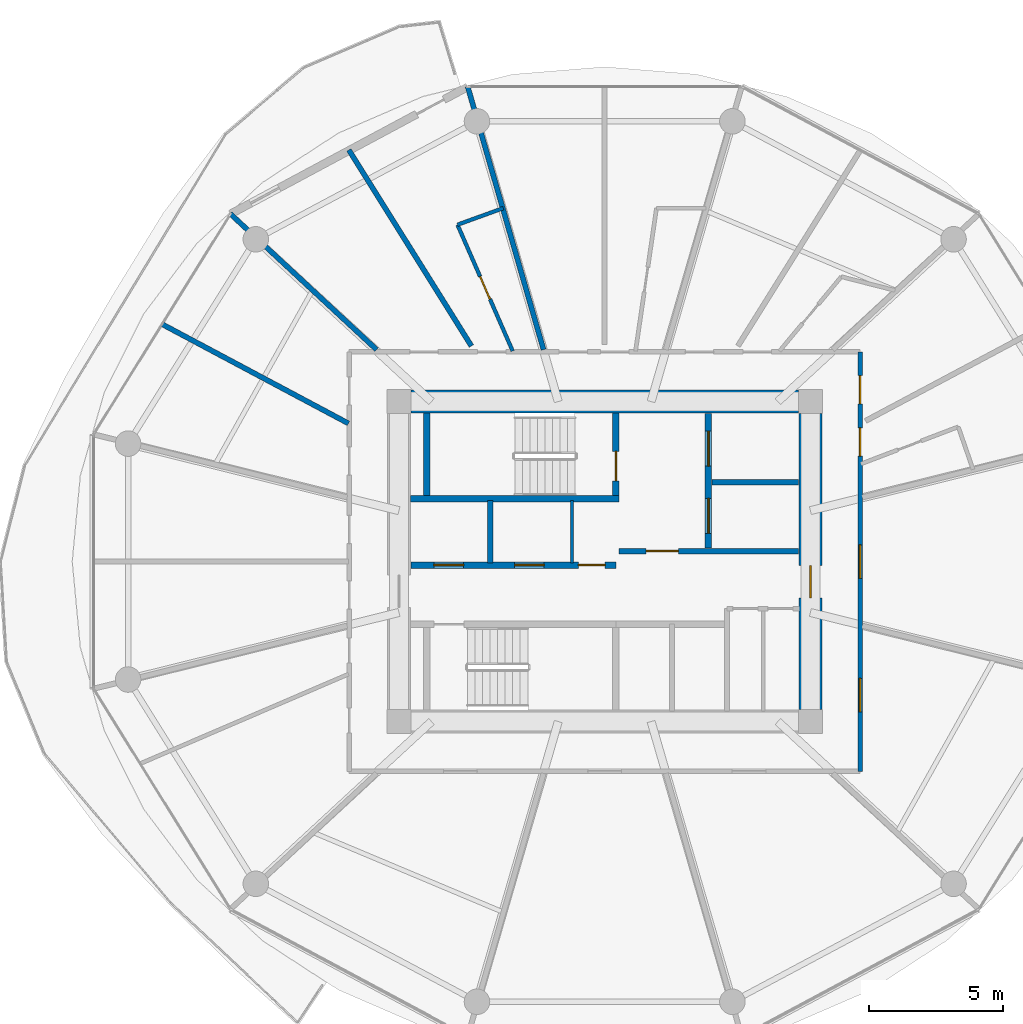
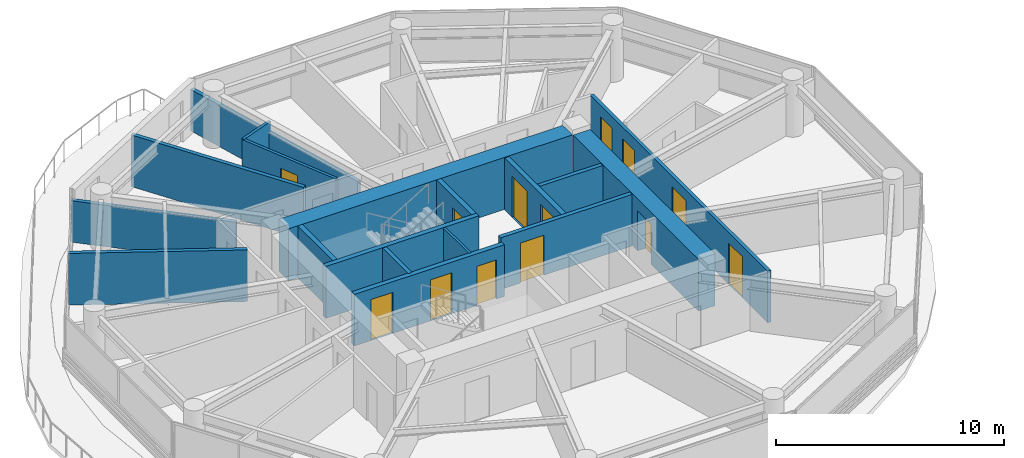
# One storey, part 16 of 27: 18 walls, 13 doors, 13 openings.
"""IFC4 building model written with IfcOpenShell, lengths in metres."""

from ifc_helpers import new_model, si_unit, direction, frame, frame_2d, origin, place, context, subcontext, project, spatial, rectangle, extrude, source, transform, mapped, material, layer, layer_set, type_object, type_shapes, element, fill, save


model = new_model("IFC4")

# Units and contexts
model_context = context("Model", 3, precision=1e-05, world=origin(), true_north=direction((0.0, 1.0)))
body_context = subcontext(model_context, "Body", "Model", "MODEL_VIEW")
ifc_project = project(units=[si_unit("LENGTHUNIT", "METRE"), si_unit("AREAUNIT", "SQUARE_METRE"), si_unit("VOLUMEUNIT", "CUBIC_METRE"), si_unit("PLANEANGLEUNIT", "RADIAN"), si_unit("MASSUNIT", "GRAM", prefix="KILO")], contexts=[model_context])

# Site, building, storey
site_placement = place(None, origin())
site = spatial("IfcSite", under=ifc_project, at=site_placement, CompositionType="ELEMENT")
building_placement = place(site_placement, origin())
building = spatial("IfcBuilding", under=site, at=building_placement, Name="Norrkilde Senior Care Towers", CompositionType="ELEMENT")
storey_placement = place(building_placement, frame((0.0, 0.0, 33.800048828125)))
storey = spatial("IfcBuildingStorey", under=building, at=storey_placement, Name="L09", CompositionType="ELEMENT", Elevation=33.800048828125)

# Wall
ifc_material_1 = material(Name="Concrete C60/75", Category="concrete")
ifc_layer_1 = layer(ifc_material_1, 0.85009765625)
ifc_layer_set_1 = layer_set([ifc_layer_1], Name="Concrete C60/75")
wall_type_1 = type_object("IfcWallType", Name="Core Shear Wall Z1 850", PredefinedType="SHEAR", material=ifc_layer_set_1)
shared_shape_1 = source(origin(), body_context, "Body", "SweptSolid", [
    extrude(rectangle(XDim=14.39990234375, YDim=0.85009765625, at=frame_2d((7.199951171875, 0.0))), origin(), (0.0, 0.0, 1.0), 2.7900390625),
])
wall_1_placement = place(storey_placement, frame((-35.199951171875, 5.949951171875, 0.0), z_axis=(0.0, 0.0, 1.0), x_axis=(1.0, 0.0, 0.0)))
element("IfcWall", 1, at=wall_1_placement, inside=storey, type_object=wall_type_1, Name="L09 Core W North Shear Wall", PredefinedType="SHEAR", context=body_context, shape_type="MappedRepresentation", body=[
    mapped(shared_shape_1, transform((0.0, 0.0, 0.0), x_axis=(1.0, 0.0, 0.0), y_axis=(0.0, 1.0, 0.0), z_axis=(0.0, 0.0, 1.0), scale=1.0)),
])

# Wall, opening, door
shared_shape_2 = source(origin(), body_context, "Body", "SweptSolid", [
    extrude(rectangle(XDim=11.0, YDim=0.85009765625, at=frame_2d((5.5, 0.0))), origin(), (0.0, 0.0, 1.0), 2.7900390625),
])
type_shapes(wall_type_1, [shared_shape_1, shared_shape_2])
wall_2_placement = place(storey_placement, frame((-20.35009765625, 5.5, 0.0), z_axis=(0.0, 0.0, 1.0), x_axis=(0.0, -1.0, 0.0)))
wall_2 = element("IfcWall", 2, at=wall_2_placement, inside=storey, type_object=wall_type_1, Name="L09 Core W East Shear Wall", PredefinedType="SHEAR", context=body_context, shape_type="MappedRepresentation", body=[
    mapped(shared_shape_2, transform((0.0, 0.0, 0.0), x_axis=(1.0, 0.0, 0.0), y_axis=(0.0, 1.0, 0.0), z_axis=(0.0, 0.0, 1.0), scale=1.0)),
])
opening_1_placement = place(wall_2_placement, frame((5.64990234375, 0.0, 0.0)))
opening_1 = element("IfcOpeningElement", 3, at=opening_1_placement, cuts=wall_2, Name="Opening D-04", PredefinedType="OPENING", context=body_context, shape_type="SweptSolid", body=[
    extrude(rectangle(XDim=1.199951171875, YDim=2.14990234375, at=frame_2d((0.60009765625, 1.074951171875))), frame((0.0, 0.43505859375, 0.0), z_axis=(0.0, -1.0, 0.0), x_axis=(1.0, 0.0, 0.0)), (0.0, 0.0, 1.0), 0.8701171875),
])
ifc_material_2 = material(Name="Galvanised Painted Steel", Category="steel")
door_type_1 = type_object("IfcDoorType", Name="Firefighting Lobby Fire Door 1200x2150", OperationType="NOTDEFINED", PredefinedType="DOOR", material=ifc_material_2)
shared_shape_3 = source(origin(), body_context, "Body", "SweptSolid", [
    extrude(rectangle(XDim=1.199951171875, YDim=2.14990234375, at=frame_2d((0.60009765625, 1.074951171875))), frame((0.0, 0.02490234375, 0.0), z_axis=(0.0, -1.0, 0.0), x_axis=(1.0, 0.0, 0.0)), (0.0, 0.0, 1.0), 0.050048828125),
])
type_shapes(door_type_1, [shared_shape_3])
door_1_placement = place(opening_1_placement, frame((1.199951171875, 0.0, 0.0), z_axis=(0.0, 0.0, 1.0), x_axis=(-1.0, 0.0, 0.0)))
door_1 = element("IfcDoor", 4, at=door_1_placement, inside=storey, type_object=door_type_1, Name="L09 Core W East Portal Door", OperationType="SINGLE_SWING_RIGHT", OverallHeight=2.14990234375, OverallWidth=1.199951171875, PredefinedType="DOOR", context=body_context, shape_type="MappedRepresentation", body=[
    mapped(shared_shape_3, transform((0.0, 0.0, 0.0), x_axis=(1.0, 0.0, 0.0), y_axis=(0.0, 1.0, 0.0), z_axis=(0.0, 0.0, 1.0), scale=1.0)),
])
fill(opening_1, door_1)

# Wall, openings, doors
ifc_material_3 = material(Name="Concrete C45/55", Category="concrete")
ifc_layer_2 = layer(ifc_material_3, 0.239990234375)
ifc_layer_set_2 = layer_set([ifc_layer_2], Name="Concrete C45/55")
wall_type_2 = type_object("IfcWallType", Name="Lift and Plant Rated Enclosure Partition 240", PredefinedType="PARTITIONING", material=ifc_layer_set_2)
shared_shape_4 = source(origin(), body_context, "Body", "SweptSolid", [
    extrude(rectangle(XDim=5.0, YDim=0.239990234375, at=frame_2d((2.5, 0.0))), origin(), (0.0, 0.0, 1.0), 2.77490234375),
])
wall_3_placement = place(storey_placement, frame((-24.139892578125, 0.5, 0.0), z_axis=(0.0, 0.0, 1.0), x_axis=(0.0, 1.0, 0.0)))
wall_3 = element("IfcWall", 5, at=wall_3_placement, inside=storey, type_object=wall_type_2, Name="WL-INT-L09-W-FFLE", PredefinedType="PARTITIONING", context=body_context, shape_type="MappedRepresentation", body=[
    mapped(shared_shape_4, transform((0.0, 0.0, 0.0), x_axis=(1.0, 0.0, 0.0), y_axis=(0.0, 1.0, 0.0), z_axis=(0.0, 0.0, 1.0), scale=1.0)),
])
opening_2_placement = place(wall_3_placement, frame((3.050048828125, 0.0, 0.0)))
opening_2 = element("IfcOpeningElement", 6, at=opening_2_placement, cuts=wall_3, Name="Opening LD-02", PredefinedType="OPENING", context=body_context, shape_type="SweptSolid", body=[
    extrude(rectangle(XDim=1.300048828125, YDim=2.199951171875, at=frame_2d((0.64990234375, 1.10009765625))), frame((0.0, 0.1298828125, 0.0), z_axis=(0.0, -1.0, 0.0), x_axis=(1.0, 0.0, 0.0)), (0.0, 0.0, 1.0), 0.260009765625),
])
opening_3_placement = place(wall_3_placement, frame((0.550048828125, 0.0, 0.0)))
opening_3 = element("IfcOpeningElement", 7, at=opening_3_placement, cuts=wall_3, Name="Opening LD-02", PredefinedType="OPENING", context=body_context, shape_type="SweptSolid", body=[
    extrude(rectangle(XDim=1.300048828125, YDim=2.199951171875, at=frame_2d((0.64990234375, 1.10009765625))), frame((0.0, 0.1298828125, 0.0), z_axis=(0.0, -1.0, 0.0), x_axis=(1.0, 0.0, 0.0)), (0.0, 0.0, 1.0), 0.260009765625),
])
ifc_material_4 = material(Name="Stainless Steel", Category="steel")
door_type_2 = type_object("IfcDoorType", Name="Stretcher and FFL Landing Sliding Door 1300x2200", OperationType="NOTDEFINED", PredefinedType="DOOR", material=ifc_material_4)
shared_shape_5 = source(origin(), body_context, "Body", "SweptSolid", [
    extrude(rectangle(XDim=1.300048828125, YDim=2.199951171875, at=frame_2d((0.64990234375, 1.10009765625))), frame((0.0, 0.02490234375, 0.0), z_axis=(0.0, -1.0, 0.0), x_axis=(1.0, 0.0, 0.0)), (0.0, 0.0, 1.0), 0.050048828125),
])
type_shapes(door_type_2, [shared_shape_5])
door_2_placement = place(opening_2_placement, origin())
door_2 = element("IfcDoor", 8, at=door_2_placement, inside=storey, type_object=door_type_2, Name="L09 Firefighting Lift W1 Landing Door", OperationType="SLIDING_TO_LEFT", OverallHeight=2.199951171875, OverallWidth=1.300048828125, PredefinedType="DOOR", context=body_context, shape_type="MappedRepresentation", body=[
    mapped(shared_shape_5, transform((0.0, 0.0, 0.0), x_axis=(1.0, 0.0, 0.0), y_axis=(0.0, 1.0, 0.0), z_axis=(0.0, 0.0, 1.0), scale=1.0)),
])
fill(opening_2, door_2)
door_3_placement = place(opening_3_placement, origin())
door_3 = element("IfcDoor", 9, at=door_3_placement, inside=storey, type_object=door_type_2, Name="L09 Stretcher Lift W1 Landing Door", OperationType="SLIDING_TO_RIGHT", OverallHeight=2.199951171875, OverallWidth=1.300048828125, PredefinedType="DOOR", context=body_context, shape_type="MappedRepresentation", body=[
    mapped(shared_shape_5, transform((0.0, 0.0, 0.0), x_axis=(1.0, 0.0, 0.0), y_axis=(0.0, 1.0, 0.0), z_axis=(0.0, 0.0, 1.0), scale=1.0)),
])
fill(opening_3, door_3)

# Wall
ifc_layer_3 = layer(ifc_material_3, 0.199951171875)
ifc_layer_set_3 = layer_set([ifc_layer_3], Name="Concrete C45/55")
wall_type_3 = type_object("IfcWallType", Name="Shaft Division and Plant Partition 200", PredefinedType="PARTITIONING", material=ifc_layer_set_3)
shared_shape_6 = source(origin(), body_context, "Body", "SweptSolid", [
    extrude(rectangle(XDim=3.199951171875, YDim=0.199951171875, at=frame_2d((1.60009765625, 0.0))), origin(), (0.0, 0.0, 1.0), 2.77490234375),
])
wall_4_placement = place(storey_placement, frame((-24.0, 2.949951171875, 0.0), z_axis=(0.0, 0.0, 1.0), x_axis=(1.0, 0.0, 0.0)))
element("IfcWall", 10, at=wall_4_placement, inside=storey, type_object=wall_type_3, Name="WL-INT-L09-W-FFLDIV", PredefinedType="PARTITIONING", context=body_context, shape_type="MappedRepresentation", body=[
    mapped(shared_shape_6, transform((0.0, 0.0, 0.0), x_axis=(1.0, 0.0, 0.0), y_axis=(0.0, 1.0, 0.0), z_axis=(0.0, 0.0, 1.0), scale=1.0)),
])

# Wall, opening, door
ifc_layer_4 = layer(ifc_material_3, 0.2099609375)
ifc_layer_set_4 = layer_set([ifc_layer_4], Name="Concrete C45/55")
wall_type_4 = type_object("IfcWallType", Name="Firefighting Lobby Wall 210", PredefinedType="PARTITIONING", material=ifc_layer_set_4)
shared_shape_7 = source(origin(), body_context, "Body", "SweptSolid", [
    extrude(rectangle(XDim=6.659912109375, YDim=0.2099609375, at=frame_2d((3.330078125, 0.0))), origin(), (0.0, 0.0, 1.0), 2.77490234375),
])
type_shapes(wall_type_4, [shared_shape_7])
wall_5_placement = place(storey_placement, frame((-27.4599609375, 0.389892578125, 0.0), z_axis=(0.0, 0.0, 1.0), x_axis=(1.0, 0.0, 0.0)))
wall_5 = element("IfcWall", 11, at=wall_5_placement, inside=storey, type_object=wall_type_4, Name="WL-INT-L09-W-FFLS", PredefinedType="PARTITIONING", context=body_context, shape_type="MappedRepresentation", body=[
    mapped(shared_shape_7, transform((0.0, 0.0, 0.0), x_axis=(1.0, 0.0, 0.0), y_axis=(0.0, 1.0, 0.0), z_axis=(0.0, 0.0, 1.0), scale=1.0)),
])
opening_4_placement = place(wall_5_placement, frame((1.0, 0.0, 0.0)))
opening_4 = element("IfcOpeningElement", 12, at=opening_4_placement, cuts=wall_5, Name="Opening D-04", PredefinedType="OPENING", context=body_context, shape_type="SweptSolid", body=[
    extrude(rectangle(XDim=1.199951171875, YDim=2.14990234375, at=frame_2d((0.60009765625, 1.074951171875))), frame((0.0, 0.114990234375, 0.0), z_axis=(0.0, -1.0, 0.0), x_axis=(1.0, 0.0, 0.0)), (0.0, 0.0, 1.0), 0.22998046875),
])
door_4_placement = place(opening_4_placement, frame((1.199951171875, 0.0, 0.0), z_axis=(0.0, 0.0, 1.0), x_axis=(-1.0, 0.0, 0.0)))
door_4 = element("IfcDoor", 13, at=door_4_placement, inside=storey, type_object=door_type_1, Name="L09 Firefighting Lobby W Door", OperationType="SINGLE_SWING_LEFT", OverallHeight=2.14990234375, OverallWidth=1.199951171875, PredefinedType="DOOR", context=body_context, shape_type="MappedRepresentation", body=[
    mapped(shared_shape_3, transform((0.0, 0.0, 0.0), x_axis=(1.0, 0.0, 0.0), y_axis=(0.0, 1.0, 0.0), z_axis=(0.0, 0.0, 1.0), scale=1.0)),
])
fill(opening_4, door_4)

# Wall, openings, doors
shared_shape_8 = source(origin(), body_context, "Body", "SweptSolid", [
    extrude(rectangle(XDim=7.619873046875, YDim=0.239990234375, at=frame_2d((3.81005859375, 0.0))), origin(), (0.0, 0.0, 1.0), 2.77490234375),
])
type_shapes(wall_type_2, [shared_shape_4, shared_shape_8])
wall_6_placement = place(storey_placement, frame((-35.199951171875, -0.1298828125, 0.0), z_axis=(0.0, 0.0, 1.0), x_axis=(1.0, 0.0, 0.0)))
wall_6 = element("IfcWall", 14, at=wall_6_placement, inside=storey, type_object=wall_type_2, Name="WL-INT-L09-W-PKAS", PredefinedType="PARTITIONING", context=body_context, shape_type="MappedRepresentation", body=[
    mapped(shared_shape_8, transform((0.0, 0.0, 0.0), x_axis=(1.0, 0.0, 0.0), y_axis=(0.0, 1.0, 0.0), z_axis=(0.0, 0.0, 1.0), scale=1.0)),
])
opening_5_placement = place(wall_6_placement, frame((6.219970703125, 0.0, 0.0)))
opening_5 = element("IfcOpeningElement", 15, at=opening_5_placement, cuts=wall_6, Name="Opening D-10", PredefinedType="OPENING", context=body_context, shape_type="SweptSolid", body=[
    extrude(rectangle(XDim=1.0, YDim=2.10009765625, at=frame_2d((0.5, 1.050048828125))), frame((0.0, 0.1298828125, 0.0), z_axis=(0.0, -1.0, 0.0), x_axis=(1.0, 0.0, 0.0)), (0.0, 0.0, 1.0), 0.260009765625),
])
opening_6_placement = place(wall_6_placement, frame((0.85009765625, 0.0, 0.0)))
opening_6 = element("IfcOpeningElement", 16, at=opening_6_placement, cuts=wall_6, Name="Opening LD-01", PredefinedType="OPENING", context=body_context, shape_type="SweptSolid", body=[
    extrude(rectangle(XDim=1.10009765625, YDim=2.199951171875, at=frame_2d((0.550048828125, 1.10009765625))), frame((0.0, 0.1298828125, 0.0), z_axis=(0.0, -1.0, 0.0), x_axis=(1.0, 0.0, 0.0)), (0.0, 0.0, 1.0), 0.260009765625),
])
opening_7_placement = place(wall_6_placement, frame((3.85009765625, 0.0, 0.0)))
opening_7 = element("IfcOpeningElement", 17, at=opening_7_placement, cuts=wall_6, Name="Opening LD-01", PredefinedType="OPENING", context=body_context, shape_type="SweptSolid", body=[
    extrude(rectangle(XDim=1.10009765625, YDim=2.199951171875, at=frame_2d((0.550048828125, 1.10009765625))), frame((0.0, 0.1298828125, 0.0), z_axis=(0.0, -1.0, 0.0), x_axis=(1.0, 0.0, 0.0)), (0.0, 0.0, 1.0), 0.260009765625),
])
door_type_3 = type_object("IfcDoorType", Name="Plant and Riser Rated Door 1000x2100", OperationType="NOTDEFINED", PredefinedType="DOOR", material=ifc_material_2)
shared_shape_9 = source(origin(), body_context, "Body", "SweptSolid", [
    extrude(rectangle(XDim=1.0, YDim=2.10009765625, at=frame_2d((0.5, 1.050048828125))), frame((0.0, 0.02490234375, 0.0), z_axis=(0.0, -1.0, 0.0), x_axis=(1.0, 0.0, 0.0)), (0.0, 0.0, 1.0), 0.050048828125),
])
type_shapes(door_type_3, [shared_shape_9])
door_5_placement = place(opening_5_placement, frame((1.0, 0.0, 0.0), z_axis=(0.0, 0.0, 1.0), x_axis=(-1.0, 0.0, 0.0)))
door_5 = element("IfcDoor", 18, at=door_5_placement, inside=storey, type_object=door_type_3, Name="L09 Electrical Riser W Door", OperationType="SINGLE_SWING_LEFT", OverallHeight=2.10009765625, OverallWidth=1.0, PredefinedType="DOOR", context=body_context, shape_type="MappedRepresentation", body=[
    mapped(shared_shape_9, transform((0.0, 0.0, 0.0), x_axis=(1.0, 0.0, 0.0), y_axis=(0.0, 1.0, 0.0), z_axis=(0.0, 0.0, 1.0), scale=1.0)),
])
fill(opening_5, door_5)
door_type_4 = type_object("IfcDoorType", Name="Lift Landing Sliding Door 1100x2200", OperationType="NOTDEFINED", PredefinedType="DOOR", material=ifc_material_4)
shared_shape_10 = source(origin(), body_context, "Body", "SweptSolid", [
    extrude(rectangle(XDim=1.10009765625, YDim=2.199951171875, at=frame_2d((0.550048828125, 1.10009765625))), frame((0.0, 0.02490234375, 0.0), z_axis=(0.0, -1.0, 0.0), x_axis=(1.0, 0.0, 0.0)), (0.0, 0.0, 1.0), 0.050048828125),
])
type_shapes(door_type_4, [shared_shape_10])
door_6_placement = place(opening_6_placement, origin())
door_6 = element("IfcDoor", 19, at=door_6_placement, inside=storey, type_object=door_type_4, Name="L09 Passenger Lift W1 Landing Door", OperationType="SLIDING_TO_LEFT", OverallHeight=2.199951171875, OverallWidth=1.10009765625, PredefinedType="DOOR", context=body_context, shape_type="MappedRepresentation", body=[
    mapped(shared_shape_10, transform((0.0, 0.0, 0.0), x_axis=(1.0, 0.0, 0.0), y_axis=(0.0, 1.0, 0.0), z_axis=(0.0, 0.0, 1.0), scale=1.0)),
])
fill(opening_6, door_6)
door_7_placement = place(opening_7_placement, origin())
door_7 = element("IfcDoor", 20, at=door_7_placement, inside=storey, type_object=door_type_4, Name="L09 Passenger Lift W2 Landing Door", OperationType="SLIDING_TO_RIGHT", OverallHeight=2.199951171875, OverallWidth=1.10009765625, PredefinedType="DOOR", context=body_context, shape_type="MappedRepresentation", body=[
    mapped(shared_shape_10, transform((0.0, 0.0, 0.0), x_axis=(1.0, 0.0, 0.0), y_axis=(0.0, 1.0, 0.0), z_axis=(0.0, 0.0, 1.0), scale=1.0)),
])
fill(opening_7, door_7)

# Walls
ifc_material_5 = material(Name="Gypsum Acoustic Board")
ifc_layer_5 = layer(ifc_material_5, 0.114990234375)
ifc_layer_set_5 = layer_set([ifc_layer_5], Name="Gypsum Acoustic Board")
wall_type_5 = type_object("IfcWallType", Name="Internal Room Partition 115", PredefinedType="PARTITIONING", material=ifc_layer_set_5)
shared_shape_11 = source(origin(), body_context, "Body", "SweptSolid", [
    extrude(rectangle(XDim=2.330078125, YDim=0.114990234375, at=frame_2d((1.1650390625, 0.0))), origin(), (0.0, 0.0, 1.0), 2.77490234375),
])
type_shapes(wall_type_5, [shared_shape_11])
wall_7_placement = place(storey_placement, frame((-29.2099609375, -0.050048828125, 0.0), z_axis=(0.0, 0.0, 1.0), x_axis=(0.0, 1.0, 0.0)))
element("IfcWall", 21, at=wall_7_placement, inside=storey, type_object=wall_type_5, Name="WL-INT-L09-W-RISW", PredefinedType="PARTITIONING", context=body_context, shape_type="MappedRepresentation", body=[
    mapped(shared_shape_11, transform((0.0, 0.0, 0.0), x_axis=(1.0, 0.0, 0.0), y_axis=(0.0, 1.0, 0.0), z_axis=(0.0, 0.0, 1.0), scale=1.0)),
])
shared_shape_12 = source(origin(), body_context, "Body", "SweptSolid", [
    extrude(rectangle(XDim=2.330078125, YDim=0.199951171875, at=frame_2d((1.1650390625, 0.0))), origin(), (0.0, 0.0, 1.0), 2.77490234375),
])
type_shapes(wall_type_3, [shared_shape_6, shared_shape_12])
wall_8_placement = place(storey_placement, frame((-32.25, -0.050048828125, 0.0), z_axis=(0.0, 0.0, 1.0), x_axis=(0.0, 1.0, 0.0)))
element("IfcWall", 22, at=wall_8_placement, inside=storey, type_object=wall_type_3, Name="WL-INT-L09-W-PL12", PredefinedType="PARTITIONING", context=body_context, shape_type="MappedRepresentation", body=[
    mapped(shared_shape_12, transform((0.0, 0.0, 0.0), x_axis=(1.0, 0.0, 0.0), y_axis=(0.0, 1.0, 0.0), z_axis=(0.0, 0.0, 1.0), scale=1.0)),
])

# Wall, openings, doors
ifc_layer_6 = layer(ifc_material_5, 0.1650390625)
ifc_layer_set_6 = layer_set([ifc_layer_6], Name="Gypsum Acoustic Board")
wall_type_6 = type_object("IfcWallType", Name="Corridor Rated Partition 165", PredefinedType="PARTITIONING", material=ifc_layer_set_6)
shared_shape_13 = source(origin(), body_context, "Body", "SweptSolid", [
    extrude(rectangle(XDim=15.60009765625, YDim=0.1650390625, at=frame_2d((7.800048828125, 0.0))), origin(), (0.0, 0.0, 1.0), 2.77490234375),
])
type_shapes(wall_type_6, [shared_shape_13])
wall_9_placement = place(storey_placement, frame((-18.5, 7.800048828125, 0.0), z_axis=(0.0, 0.0, 1.0), x_axis=(0.0, -1.0, 0.0)))
wall_9 = element("IfcWall", 23, at=wall_9_placement, inside=storey, type_object=wall_type_6, Name="WL-INT-L09-W-CRW-E-0", PredefinedType="PARTITIONING", context=body_context, shape_type="MappedRepresentation", body=[
    mapped(shared_shape_13, transform((0.0, 0.0, 0.0), x_axis=(1.0, 0.0, 0.0), y_axis=(0.0, 1.0, 0.0), z_axis=(0.0, 0.0, 1.0), scale=1.0)),
])
opening_8_placement = place(wall_9_placement, frame((12.141357421875, 0.0, 0.0)))
opening_8 = element("IfcOpeningElement", 24, at=opening_8_placement, cuts=wall_9, Name="Opening D-05", PredefinedType="OPENING", context=body_context, shape_type="SweptSolid", body=[
    extrude(rectangle(XDim=1.25, YDim=2.199951171875, at=frame_2d((0.625, 1.10009765625))), frame((0.0, 0.092529296875, 0.0), z_axis=(0.0, -1.0, 0.0), x_axis=(1.0, 0.0, 0.0)), (0.0, 0.0, 1.0), 0.18505859375),
])
opening_9_placement = place(wall_9_placement, frame((7.175048828125, 0.0, 0.0)))
opening_9 = element("IfcOpeningElement", 25, at=opening_9_placement, cuts=wall_9, Name="Opening D-05", PredefinedType="OPENING", context=body_context, shape_type="SweptSolid", body=[
    extrude(rectangle(XDim=1.25, YDim=2.199951171875, at=frame_2d((0.625, 1.10009765625))), frame((0.0, 0.092529296875, 0.0), z_axis=(0.0, -1.0, 0.0), x_axis=(1.0, 0.0, 0.0)), (0.0, 0.0, 1.0), 0.18505859375),
])
opening_10_placement = place(wall_9_placement, frame((2.826416015625, 0.0, 0.0)))
opening_10 = element("IfcOpeningElement", 26, at=opening_10_placement, cuts=wall_9, Name="Opening D-06", PredefinedType="OPENING", context=body_context, shape_type="SweptSolid", body=[
    extrude(rectangle(XDim=1.050048828125, YDim=2.14990234375, at=frame_2d((0.52490234375, 1.074951171875))), frame((0.0, 0.092529296875, 0.0), z_axis=(0.0, -1.0, 0.0), x_axis=(1.0, 0.0, 0.0)), (0.0, 0.0, 1.0), 0.18505859375),
])
opening_11_placement = place(wall_9_placement, frame((0.88134765625, 0.0, 0.0)))
opening_11 = element("IfcOpeningElement", 27, at=opening_11_placement, cuts=wall_9, Name="Opening D-06", PredefinedType="OPENING", context=body_context, shape_type="SweptSolid", body=[
    extrude(rectangle(XDim=1.050048828125, YDim=2.14990234375, at=frame_2d((0.52490234375, 1.074951171875))), frame((0.0, 0.092529296875, 0.0), z_axis=(0.0, -1.0, 0.0), x_axis=(1.0, 0.0, 0.0)), (0.0, 0.0, 1.0), 0.18505859375),
])
ifc_material_6 = material(Name="Nordic Ash Timber", Category="wood")
door_type_5 = type_object("IfcDoorType", Name="Care Bedroom Bariatric Door 1250x2200", OperationType="NOTDEFINED", PredefinedType="DOOR", material=ifc_material_6)
shared_shape_14 = source(origin(), body_context, "Body", "SweptSolid", [
    extrude(rectangle(XDim=1.25, YDim=2.199951171875, at=frame_2d((0.625, 1.10009765625))), frame((0.0, 0.02490234375, 0.0), z_axis=(0.0, -1.0, 0.0), x_axis=(1.0, 0.0, 0.0)), (0.0, 0.0, 1.0), 0.050048828125),
])
type_shapes(door_type_5, [shared_shape_14])
door_8_placement = place(opening_8_placement, frame((1.25, 0.0, 0.0), z_axis=(0.0, 0.0, 1.0), x_axis=(-1.0, 0.0, 0.0)))
door_8 = element("IfcDoor", 28, at=door_8_placement, inside=storey, type_object=door_type_5, Name="L09 Care Coordination Charting Office Door", OperationType="SINGLE_SWING_LEFT", OverallHeight=2.199951171875, OverallWidth=1.25, PredefinedType="DOOR", context=body_context, shape_type="MappedRepresentation", body=[
    mapped(shared_shape_14, transform((0.0, 0.0, 0.0), x_axis=(1.0, 0.0, 0.0), y_axis=(0.0, 1.0, 0.0), z_axis=(0.0, 0.0, 1.0), scale=1.0)),
])
fill(opening_8, door_8)
door_9_placement = place(opening_9_placement, frame((1.25, 0.0, 0.0), z_axis=(0.0, 0.0, 1.0), x_axis=(-1.0, 0.0, 0.0)))
door_9 = element("IfcDoor", 29, at=door_9_placement, inside=storey, type_object=door_type_5, Name="L09 Geriatric Rehabilitation Clinic Door", OperationType="SINGLE_SWING_RIGHT", OverallHeight=2.199951171875, OverallWidth=1.25, PredefinedType="DOOR", context=body_context, shape_type="MappedRepresentation", body=[
    mapped(shared_shape_14, transform((0.0, 0.0, 0.0), x_axis=(1.0, 0.0, 0.0), y_axis=(0.0, 1.0, 0.0), z_axis=(0.0, 0.0, 1.0), scale=1.0)),
])
fill(opening_9, door_9)
door_type_6 = type_object("IfcDoorType", Name="Apartment Entrance Fire Door 1050x2150", OperationType="NOTDEFINED", PredefinedType="DOOR", material=ifc_material_6)
shared_shape_15 = source(origin(), body_context, "Body", "SweptSolid", [
    extrude(rectangle(XDim=1.050048828125, YDim=2.14990234375, at=frame_2d((0.52490234375, 1.074951171875))), frame((0.0, 0.02490234375, 0.0), z_axis=(0.0, -1.0, 0.0), x_axis=(1.0, 0.0, 0.0)), (0.0, 0.0, 1.0), 0.050048828125),
])
type_shapes(door_type_6, [shared_shape_15])
door_10_placement = place(opening_10_placement, frame((1.050048828125, 0.0, 0.0), z_axis=(0.0, 0.0, 1.0), x_axis=(-1.0, 0.0, 0.0)))
door_10 = element("IfcDoor", 30, at=door_10_placement, inside=storey, type_object=door_type_6, Name="L09 Care Suite 0900A Entrance Door", OperationType="SINGLE_SWING_LEFT", OverallHeight=2.14990234375, OverallWidth=1.050048828125, PredefinedType="DOOR", context=body_context, shape_type="MappedRepresentation", body=[
    mapped(shared_shape_15, transform((0.0, 0.0, 0.0), x_axis=(1.0, 0.0, 0.0), y_axis=(0.0, 1.0, 0.0), z_axis=(0.0, 0.0, 1.0), scale=1.0)),
])
fill(opening_10, door_10)
door_11_placement = place(opening_11_placement, frame((1.050048828125, 0.0, 0.0), z_axis=(0.0, 0.0, 1.0), x_axis=(-1.0, 0.0, 0.0)))
door_11 = element("IfcDoor", 31, at=door_11_placement, inside=storey, type_object=door_type_6, Name="L09 Therapy Day Lounge 00 Door", OperationType="SINGLE_SWING_RIGHT", OverallHeight=2.14990234375, OverallWidth=1.050048828125, PredefinedType="DOOR", context=body_context, shape_type="MappedRepresentation", body=[
    mapped(shared_shape_15, transform((0.0, 0.0, 0.0), x_axis=(1.0, 0.0, 0.0), y_axis=(0.0, 1.0, 0.0), z_axis=(0.0, 0.0, 1.0), scale=1.0)),
])
fill(opening_11, door_11)

# Walls
ifc_layer_7 = layer(ifc_material_5, 0.18994140625)
ifc_layer_set_7 = layer_set([ifc_layer_7], Name="Gypsum Acoustic Board")
wall_type_7 = type_object("IfcWallType", Name="Unit Demising Acoustic Wall 190", PredefinedType="PARTITIONING", material=ifc_layer_set_7)
shared_shape_16 = source(origin(), body_context, "Body", "SweptSolid", [
    extrude(rectangle(XDim=7.4345703125, YDim=0.18994140625, at=frame_2d((3.71728515625, 0.0))), origin(), (0.0, 0.0, 1.0), 2.224853515625),
])
wall_10_placement = place(storey_placement, frame((-36.48291015625, 7.8798828125, 0.0), z_axis=(0.0, 0.0, 1.0), x_axis=(-0.732651956848, 0.680603489652, 0.0)))
element("IfcWall", 32, at=wall_10_placement, inside=storey, type_object=wall_type_7, Name="WL-INT-L09-W-DEM-04-0", PredefinedType="PARTITIONING", context=body_context, shape_type="MappedRepresentation", body=[
    mapped(shared_shape_16, transform((0.0, 0.0, 0.0), x_axis=(1.0, 0.0, 0.0), y_axis=(0.0, 1.0, 0.0), z_axis=(0.0, 0.0, 1.0), scale=1.0)),
])
shared_shape_17 = source(origin(), body_context, "Body", "SweptSolid", [
    extrude(rectangle(XDim=10.196044921875, YDim=0.18994140625, at=frame_2d((5.09814453125, 0.0))), origin(), (0.0, 0.0, 1.0), 2.224853515625),
])
wall_11_placement = place(storey_placement, frame((-30.27294921875, 7.8798828125, 0.0), z_axis=(0.0, 0.0, 1.0), x_axis=(-0.277136420347, 0.960830580549, 0.0)))
element("IfcWall", 33, at=wall_11_placement, inside=storey, type_object=wall_type_7, Name="WL-INT-L09-W-DEM-03-0", PredefinedType="PARTITIONING", context=body_context, shape_type="MappedRepresentation", body=[
    mapped(shared_shape_17, transform((0.0, 0.0, 0.0), x_axis=(1.0, 0.0, 0.0), y_axis=(0.0, 1.0, 0.0), z_axis=(0.0, 0.0, 1.0), scale=1.0)),
])
shared_shape_18 = source(origin(), body_context, "Body", "SweptSolid", [
    extrude(rectangle(XDim=8.59814453125, YDim=0.18994140625, at=frame_2d((4.299072265625, 0.0))), origin(), (0.0, 0.0, 1.0), 2.77490234375),
])
wall_12_placement = place(storey_placement, frame((-32.95703125, 8.017333984375, 0.0), z_axis=(0.0, 0.0, 1.0), x_axis=(-0.530039776395, 0.847972779893, 0.0)))
element("IfcWall", 34, at=wall_12_placement, inside=storey, type_object=wall_type_7, Name="WL-INT-L09-W-CMID-03", PredefinedType="PARTITIONING", context=body_context, shape_type="MappedRepresentation", body=[
    mapped(shared_shape_18, transform((0.0, 0.0, 0.0), x_axis=(1.0, 0.0, 0.0), y_axis=(0.0, 1.0, 0.0), z_axis=(0.0, 0.0, 1.0), scale=1.0)),
])
ifc_layer_8 = layer(ifc_material_3, 0.239990234375)
ifc_layer_set_8 = layer_set([ifc_layer_8], Name="Concrete C45/55")
wall_type_8 = type_object("IfcWallType", Name="Shaft and Stair Enclosure Wall 240", PredefinedType="PARTITIONING", material=ifc_layer_set_8)
shared_shape_19 = source(origin(), body_context, "Body", "SweptSolid", [
    extrude(rectangle(XDim=7.76513671875, YDim=0.239990234375, at=frame_2d((3.882568359375, 0.0))), origin(), (0.0, 0.0, 1.0), 2.7900390625),
])
wall_13_placement = place(storey_placement, frame((-35.22509765625, 2.330078125, 0.0), z_axis=(0.0, 0.0, 1.0), x_axis=(1.0, 0.0, 0.0)))
element("IfcWall", 35, at=wall_13_placement, inside=storey, type_object=wall_type_8, Name="WL-INT-L09-W-ST1S", PredefinedType="PARTITIONING", context=body_context, shape_type="MappedRepresentation", body=[
    mapped(shared_shape_19, transform((0.0, 0.0, 0.0), x_axis=(1.0, 0.0, 0.0), y_axis=(0.0, 1.0, 0.0), z_axis=(0.0, 0.0, 1.0), scale=1.0)),
])
shared_shape_20 = source(origin(), body_context, "Body", "SweptSolid", [
    extrude(rectangle(XDim=3.074951171875, YDim=0.239990234375, at=frame_2d((1.53759765625, 0.0))), origin(), (0.0, 0.0, 1.0), 2.7900390625),
])
type_shapes(wall_type_8, [shared_shape_19, shared_shape_20])
wall_14_placement = place(storey_placement, frame((-34.6201171875, 2.449951171875, 0.0), z_axis=(0.0, 0.0, 1.0), x_axis=(0.0, 1.0, 0.0)))
element("IfcWall", 36, at=wall_14_placement, inside=storey, type_object=wall_type_8, Name="WL-INT-L09-W-ST1W", PredefinedType="PARTITIONING", context=body_context, shape_type="MappedRepresentation", body=[
    mapped(shared_shape_20, transform((0.0, 0.0, 0.0), x_axis=(1.0, 0.0, 0.0), y_axis=(0.0, 1.0, 0.0), z_axis=(0.0, 0.0, 1.0), scale=1.0)),
])

# Wall, opening, door
wall_15_placement = place(storey_placement, frame((-27.580078125, 2.449951171875, 0.0), z_axis=(0.0, 0.0, 1.0), x_axis=(0.0, 1.0, 0.0)))
wall_15 = element("IfcWall", 37, at=wall_15_placement, inside=storey, type_object=wall_type_8, Name="WL-INT-L09-W-ST1E", PredefinedType="PARTITIONING", context=body_context, shape_type="MappedRepresentation", body=[
    mapped(shared_shape_20, transform((0.0, 0.0, 0.0), x_axis=(1.0, 0.0, 0.0), y_axis=(0.0, 1.0, 0.0), z_axis=(0.0, 0.0, 1.0), scale=1.0)),
])
opening_12_placement = place(wall_15_placement, frame((0.550048828125, 0.0, 0.0)))
opening_12 = element("IfcOpeningElement", 38, at=opening_12_placement, cuts=wall_15, Name="Opening D-03", PredefinedType="OPENING", context=body_context, shape_type="SweptSolid", body=[
    extrude(rectangle(XDim=1.10009765625, YDim=2.14990234375, at=frame_2d((0.550048828125, 1.074951171875))), frame((0.0, 0.1298828125, 0.0), z_axis=(0.0, -1.0, 0.0), x_axis=(1.0, 0.0, 0.0)), (0.0, 0.0, 1.0), 0.260009765625),
])
door_type_7 = type_object("IfcDoorType", Name="Stairwell Protected Fire Door 1100x2150", OperationType="NOTDEFINED", PredefinedType="DOOR", material=ifc_material_2)
shared_shape_21 = source(origin(), body_context, "Body", "SweptSolid", [
    extrude(rectangle(XDim=1.10009765625, YDim=2.14990234375, at=frame_2d((0.550048828125, 1.074951171875))), frame((0.0, 0.02490234375, 0.0), z_axis=(0.0, -1.0, 0.0), x_axis=(1.0, 0.0, 0.0)), (0.0, 0.0, 1.0), 0.050048828125),
])
type_shapes(door_type_7, [shared_shape_21])
door_12_placement = place(opening_12_placement, origin())
door_12 = element("IfcDoor", 39, at=door_12_placement, inside=storey, type_object=door_type_7, Name="L09 Stair W1 Fire Door", OperationType="SINGLE_SWING_LEFT", OverallHeight=2.14990234375, OverallWidth=1.10009765625, PredefinedType="DOOR", context=body_context, shape_type="MappedRepresentation", body=[
    mapped(shared_shape_21, transform((0.0, 0.0, 0.0), x_axis=(1.0, 0.0, 0.0), y_axis=(0.0, 1.0, 0.0), z_axis=(0.0, 0.0, 1.0), scale=1.0)),
])
fill(opening_12, door_12)

ifc_layer_9 = layer(ifc_material_5, 0.139892578125)
ifc_layer_set_9 = layer_set([ifc_layer_9], Name="Gypsum Acoustic Board")
wall_type_9 = type_object("IfcWallType", Name="En-suite Wet Room Wall 140", PredefinedType="PARTITIONING", material=ifc_layer_set_9)
shared_shape_22 = source(origin(), body_context, "Body", "SweptSolid", [
    extrude(rectangle(XDim=5.125732421875, YDim=0.139892578125, at=frame_2d((2.56298828125, 0.0))), origin(), (0.0, 0.0, 1.0), 2.77490234375),
])
wall_16_placement = place(storey_placement, frame((-31.421875, 7.830078125, 0.0), z_axis=(0.0, 0.0, 1.0), x_axis=(-0.400473994842, 0.916308124735, 0.0)))
wall_16 = element("IfcWall", 40, at=wall_16_placement, inside=storey, type_object=wall_type_9, Name="WL-INT-L09-W-ES-03A", PredefinedType="PARTITIONING", context=body_context, shape_type="MappedRepresentation", body=[
    mapped(shared_shape_22, transform((0.0, 0.0, 0.0), x_axis=(1.0, 0.0, 0.0), y_axis=(0.0, 1.0, 0.0), z_axis=(0.0, 0.0, 1.0), scale=1.0)),
])
opening_13_placement = place(wall_16_placement, frame((2.102783203125, 0.0, 0.0)))
opening_13 = element("IfcOpeningElement", 41, at=opening_13_placement, cuts=wall_16, Name="Opening D-08", PredefinedType="OPENING", context=body_context, shape_type="SweptSolid", body=[
    extrude(rectangle(XDim=0.919921875, YDim=2.10009765625, at=frame_2d((0.4599609375, 1.050048828125))), frame((0.0, 0.079833984375, 0.0), z_axis=(0.0, -1.0, 0.0), x_axis=(1.0, 0.0, 0.0)), (0.0, 0.0, 1.0), 0.159912109375),
])
door_type_8 = type_object("IfcDoorType", Name="Accessible Wet Room Door 920x2100", OperationType="NOTDEFINED", PredefinedType="DOOR", material=ifc_material_6)
shared_shape_23 = source(origin(), body_context, "Body", "SweptSolid", [
    extrude(rectangle(XDim=0.919921875, YDim=2.10009765625, at=frame_2d((0.4599609375, 1.050048828125))), frame((0.0, 0.02490234375, 0.0), z_axis=(0.0, -1.0, 0.0), x_axis=(1.0, 0.0, 0.0)), (0.0, 0.0, 1.0), 0.050048828125),
])
type_shapes(door_type_8, [shared_shape_23])
door_13_placement = place(opening_13_placement, origin())
door_13 = element("IfcDoor", 42, at=door_13_placement, inside=storey, type_object=door_type_8, Name="L09 Care Suite 0903A Bathroom Door", OperationType="SINGLE_SWING_LEFT", OverallHeight=2.10009765625, OverallWidth=0.919921875, PredefinedType="DOOR", context=body_context, shape_type="MappedRepresentation", body=[
    mapped(shared_shape_23, transform((0.0, 0.0, 0.0), x_axis=(1.0, 0.0, 0.0), y_axis=(0.0, 1.0, 0.0), z_axis=(0.0, 0.0, 1.0), scale=1.0)),
])
fill(opening_13, door_13)

# Walls
shared_shape_24 = source(origin(), body_context, "Body", "SweptSolid", [
    extrude(rectangle(XDim=1.811279296875, YDim=0.139892578125, at=frame_2d((0.90576171875, 0.0))), origin(), (0.0, 0.0, 1.0), 2.77490234375),
])
type_shapes(wall_type_9, [shared_shape_22, shared_shape_24])
wall_17_placement = place(storey_placement, frame((-33.474609375, 12.52685546875, 0.0), z_axis=(0.0, 0.0, 1.0), x_axis=(0.940009682452, 0.341147764021, 0.0)))
element("IfcWall", 43, at=wall_17_placement, inside=storey, type_object=wall_type_9, Name="WL-INT-L09-W-EF-03A", PredefinedType="PARTITIONING", context=body_context, shape_type="MappedRepresentation", body=[
    mapped(shared_shape_24, transform((0.0, 0.0, 0.0), x_axis=(1.0, 0.0, 0.0), y_axis=(0.0, 1.0, 0.0), z_axis=(0.0, 0.0, 1.0), scale=1.0)),
])
shared_shape_25 = source(origin(), body_context, "Body", "SweptSolid", [
    extrude(rectangle(XDim=7.873291015625, YDim=0.18994140625, at=frame_2d((3.9365234375, 0.0))), origin(), (0.0, 0.0, 1.0), 2.77490234375),
])
type_shapes(wall_type_7, [shared_shape_16, shared_shape_17, shared_shape_18, shared_shape_25])
wall_18_placement = place(storey_placement, frame((-37.530029296875, 5.1376953125, 0.0), z_axis=(0.0, 0.0, 1.0), x_axis=(-0.882666052726, 0.470000680175, 0.0)))
element("IfcWall", 44, at=wall_18_placement, inside=storey, type_object=wall_type_7, Name="WL-INT-L09-W-MID-04", PredefinedType="PARTITIONING", context=body_context, shape_type="MappedRepresentation", body=[
    mapped(shared_shape_25, transform((0.0, 0.0, 0.0), x_axis=(1.0, 0.0, 0.0), y_axis=(0.0, 1.0, 0.0), z_axis=(0.0, 0.0, 1.0), scale=1.0)),
])

save(model, "model.ifc")
